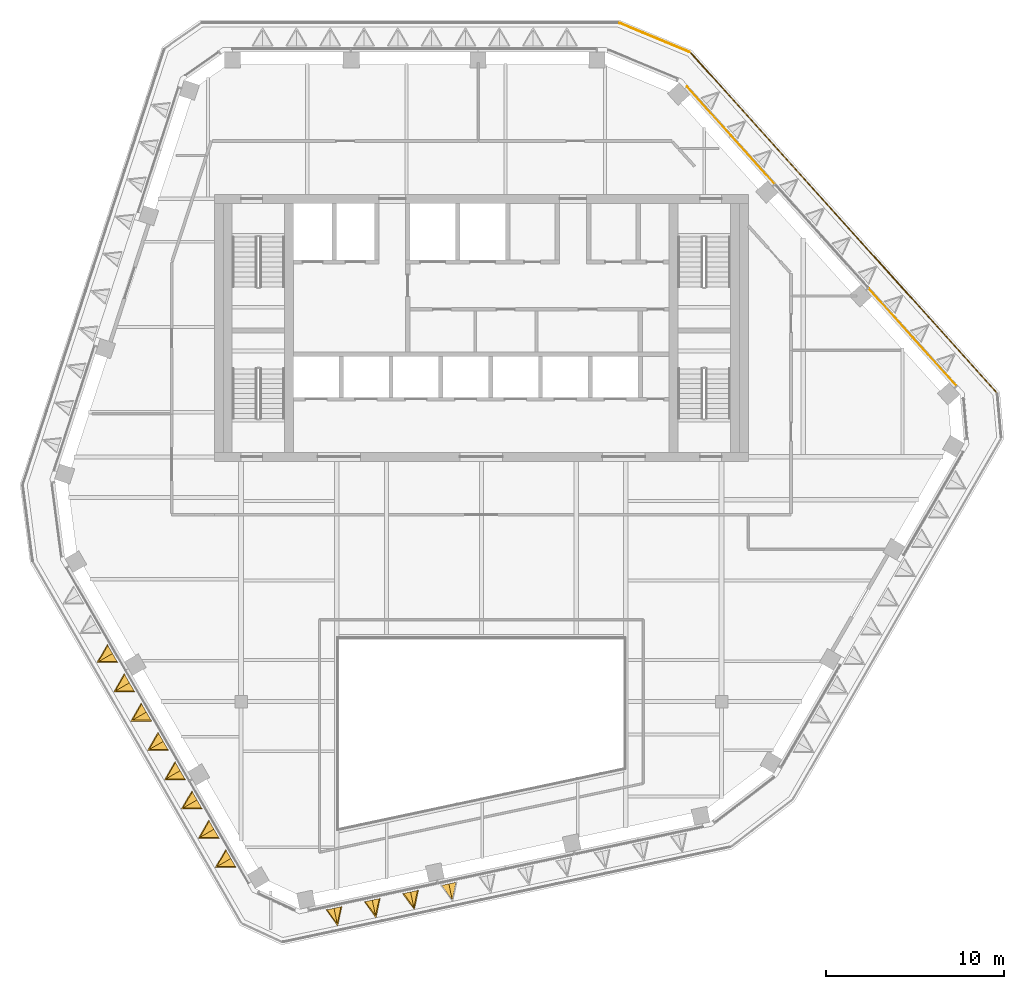
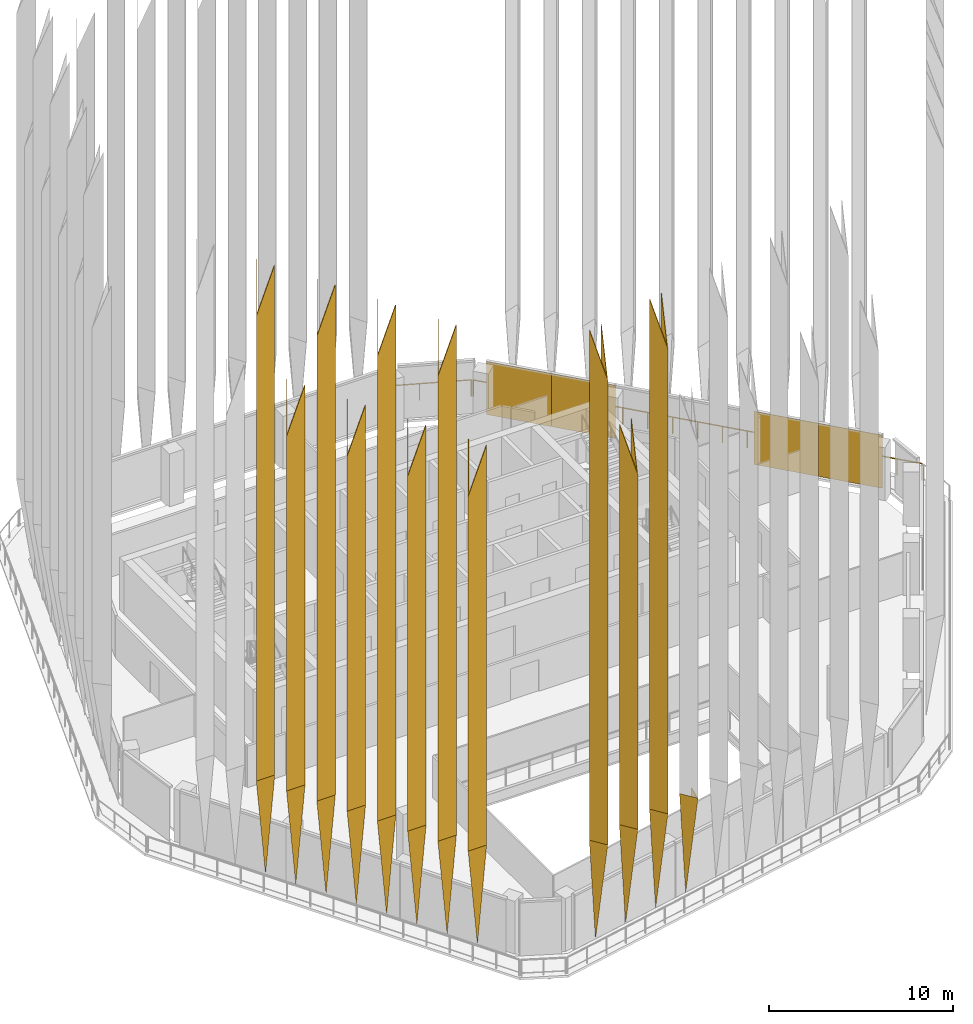
# One storey, part 17 of 21: 27 coverings, 2 railings, 1 element without a shape of its own.
"""IFC4 building model written with IfcOpenShell, lengths in metres."""

from ifc_helpers import new_model, si_unit, direction, frame, origin, origin_2d, place, context, subcontext, project, spatial, polyline, rectangle, circle, outline, extrude, faceted_brep, material, layer, layer_set, material_profile, profile_set, type_object, element, aggregate, save


model = new_model("IFC4")

# Units and contexts
model_context = context("Model", 3, precision=1e-05, world=origin(), true_north=direction((0.0, 1.0)))
body_context = subcontext(model_context, "Body", "Model", "MODEL_VIEW")
ifc_project = project(units=[si_unit("LENGTHUNIT", "METRE"), si_unit("AREAUNIT", "SQUARE_METRE"), si_unit("VOLUMEUNIT", "CUBIC_METRE"), si_unit("PLANEANGLEUNIT", "RADIAN"), si_unit("MASSUNIT", "GRAM", prefix="KILO")], contexts=[model_context])

# Site, building, storey
site_placement = place(None, origin())
site = spatial("IfcSite", under=ifc_project, at=site_placement, CompositionType="ELEMENT")
building_placement = place(site_placement, origin())
building = spatial("IfcBuilding", under=site, at=building_placement, Name="Isthmus Gate Tower", CompositionType="ELEMENT")
storey_placement = place(building_placement, frame((0.0, 0.0, 260.949951171875)))
storey = spatial("IfcBuildingStorey", under=building, at=storey_placement, Name="L66", CompositionType="ELEMENT", Elevation=260.949951171875)

# Curtain wall, coverings
ifc_material_1 = material(Name="Aluminium, pale champagne anodised", Category="aluminium")
ifc_layer_1 = layer(ifc_material_1, 0.199951171875)
ifc_layer_set_1 = layer_set([ifc_layer_1], Name="CW-1 UNITISED CURTAIN WALL 200 DEEP")
curtain_wall_type = type_object("IfcCurtainWallType", Name="CW-1 UNITISED CURTAIN WALL 200 DEEP", PredefinedType="NOTDEFINED", material=ifc_layer_set_1)
curtain_wall_placement = place(storey_placement, origin())
curtain_wall = element("IfcCurtainWall", 1, at=curtain_wall_placement, inside=storey, type_object=curtain_wall_type, Name="CW-1 NE L66", PredefinedType="NOTDEFINED")
ifc_material_2 = material(Name="Aluminium composite panel, pale champagne anodised", Category="aluminium")
ifc_layer_2 = layer(ifc_material_2, 0.031982421875)
ifc_layer_set_2 = layer_set([ifc_layer_2], Name="CW-1 PALE METAL PANEL 32")
covering_type_1 = type_object("IfcCoveringType", Name="CW-1 PALE METAL PANEL 32", PredefinedType="CLADDING", material=ifc_layer_set_2)
covering_1_placement = place(storey_placement, frame((25.470947265625, 5.6083984375, 0.0), z_axis=(0.0, 0.0, 1.0), x_axis=(-0.669130606359, 0.743144825477, 0.0)))
covering_1 = element("IfcCovering", 2, at=covering_1_placement, type_object=covering_type_1, Name="CW-1 pale metal panel", PredefinedType="CLADDING", context=body_context, shape_type="SweptSolid", body=[
    extrude(rectangle(XDim=3.643310546875, YDim=0.031982421875, at=origin_2d()), origin(), (0.0, 0.0, 1.0), 3.52001953125),
])
covering_2_placement = place(storey_placement, frame((23.012939453125, 8.33837890625, 0.0), z_axis=(0.0, 0.0, 1.0), x_axis=(-0.669130606359, 0.743144825477, 0.0)))
covering_2 = element("IfcCovering", 3, at=covering_2_placement, type_object=covering_type_1, Name="CW-1 pale metal panel", PredefinedType="CLADDING", context=body_context, shape_type="SweptSolid", body=[
    extrude(rectangle(XDim=3.703369140625, YDim=0.031982421875, at=origin_2d()), origin(), (0.0, 0.0, 1.0), 3.52001953125),
])
covering_3_placement = place(storey_placement, frame((15.257568359375, 16.95166015625, 0.0), z_axis=(0.0, 0.0, 1.0), x_axis=(-0.669130606359, 0.743144825477, 0.0)))
covering_3 = element("IfcCovering", 4, at=covering_3_placement, type_object=covering_type_1, Name="CW-1 pale metal panel", PredefinedType="CLADDING", context=body_context, shape_type="SweptSolid", body=[
    extrude(rectangle(XDim=3.643310546875, YDim=0.031982421875, at=origin_2d()), origin(), (0.0, 0.0, 1.0), 3.52001953125),
])
covering_4_placement = place(storey_placement, frame((12.799560546875, 19.681396484375, 0.0), z_axis=(0.0, 0.0, 1.0), x_axis=(-0.669130606359, 0.743144825477, 0.0)))
covering_4 = element("IfcCovering", 5, at=covering_4_placement, type_object=covering_type_1, Name="CW-1 pale metal panel", PredefinedType="CLADDING", context=body_context, shape_type="SweptSolid", body=[
    extrude(rectangle(XDim=3.703369140625, YDim=0.031982421875, at=origin_2d()), origin(), (0.0, 0.0, 1.0), 3.52001953125),
])
aggregate(curtain_wall, [covering_1, covering_2, covering_3, covering_4])

# Coverings
ifc_material_3 = material(Name="Structural steel ASTM A572 Gr 50, white paint system", Category="steel")
ifc_material_profile_1 = material_profile(ifc_material_3, outline(polyline([(0.0, -0.4453125), (1.0, 0.0), (0.0, 0.4453125), (0.0, 0.412353515625), (0.92626953125, 0.0), (0.0, -0.412353515625), (0.0, -0.4453125)])), Name="V1000")
ifc_profile_set_1 = profile_set([ifc_material_profile_1], Name="Structural steel ASTM A572 Gr 50, white paint system")
covering_type_2 = type_object("IfcCoveringType", Name="FIN V 1000 DEEP", PredefinedType="CLADDING", material=ifc_profile_set_1)
covering_5_placement = place(storey_placement, frame((0.0, 0.0, -260.949951171875)))
element("IfcCovering", 6, at=covering_5_placement, inside=storey, type_object=covering_type_2, Name="FIN", ObjectType="FIN", PredefinedType="CLADDING", context=body_context, shape_type="Brep", body=[
    faceted_brep([(-8.683837890625, -25.20361328125, 267.85009765625), (-8.087890625, -26.02392578125, 267.85009765625), (-7.877197265625, -25.0322265625, 267.85009765625), (-7.844970703125, -25.025390625, 267.85009765625), (-8.072509765625, -26.095947265625, 267.85009765625), (-8.716064453125, -25.21044921875, 267.85009765625), (-8.716064453125, -25.21044921875, 301.699951171875), (-8.072509765625, -26.095947265625, 298.699951171875), (-7.844970703125, -25.025390625, 301.699951171875), (-7.877197265625, -25.0322265625, 301.699951171875), (-8.087890625, -26.02392578125, 298.92138671875), (-8.683837890625, -25.20361328125, 301.699951171875)], [[[0, 1, 2, 3, 4, 5]], [[6, 7, 8, 9, 10, 11]], [[5, 4, 7, 6]], [[4, 3, 8, 7]], [[3, 2, 9, 8]], [[2, 1, 10, 9]], [[1, 0, 11, 10]], [[0, 5, 6, 11]]]),
])
covering_6_placement = place(storey_placement, frame((0.0, 0.0, -260.949951171875)))
element("IfcCovering", 7, at=covering_6_placement, inside=storey, type_object=covering_type_2, Name="FIN", ObjectType="FIN", PredefinedType="CLADDING", context=body_context, shape_type="Brep", body=[
    faceted_brep([(-6.531982421875, -24.74609375, 267.85009765625), (-5.93603515625, -25.56640625, 267.85009765625), (-5.725341796875, -24.57470703125, 267.85009765625), (-5.693115234375, -24.56787109375, 267.85009765625), (-5.920654296875, -25.638427734375, 267.85009765625), (-6.564208984375, -24.7529296875, 267.85009765625), (-6.564208984375, -24.7529296875, 294.39990234375), (-5.920654296875, -25.638427734375, 291.39990234375), (-5.693115234375, -24.56787109375, 294.39990234375), (-5.725341796875, -24.57470703125, 294.39990234375), (-5.93603515625, -25.56640625, 291.621337890625), (-6.531982421875, -24.74609375, 294.39990234375)], [[[0, 1, 2, 3, 4, 5]], [[6, 7, 8, 9, 10, 11]], [[5, 4, 7, 6]], [[4, 3, 8, 7]], [[3, 2, 9, 8]], [[2, 1, 10, 9]], [[1, 0, 11, 10]], [[0, 5, 6, 11]]]),
])
covering_7_placement = place(storey_placement, frame((0.0, 0.0, -260.949951171875)))
element("IfcCovering", 8, at=covering_7_placement, inside=storey, type_object=covering_type_2, Name="FIN", ObjectType="FIN", PredefinedType="CLADDING", context=body_context, shape_type="Brep", body=[
    faceted_brep([(-4.380126953125, -24.288818359375, 267.85009765625), (-3.7841796875, -25.109130859375, 267.85009765625), (-3.573486328125, -24.117431640625, 267.85009765625), (-3.541259765625, -24.110595703125, 267.85009765625), (-3.768798828125, -25.18115234375, 267.85009765625), (-4.412353515625, -24.295654296875, 267.85009765625), (-4.412353515625, -24.295654296875, 301.699951171875), (-3.768798828125, -25.18115234375, 298.699951171875), (-3.541259765625, -24.110595703125, 301.699951171875), (-3.573486328125, -24.117431640625, 301.699951171875), (-3.7841796875, -25.109130859375, 298.92138671875), (-4.380126953125, -24.288818359375, 301.699951171875)], [[[0, 1, 2, 3, 4, 5]], [[6, 7, 8, 9, 10, 11]], [[5, 4, 7, 6]], [[4, 3, 8, 7]], [[3, 2, 9, 8]], [[2, 1, 10, 9]], [[1, 0, 11, 10]], [[0, 5, 6, 11]]]),
])
ifc_material_4 = material(Name="Structural steel ASTM A572 Gr 50, white paint system", Category="steel")
ifc_material_profile_2 = material_profile(ifc_material_4, outline(polyline([(0.0, -0.4453125), (1.0, 0.0), (0.0, 0.4453125), (0.0, 0.412353515625), (0.92626953125, 0.0), (0.0, -0.412353515625), (0.0, -0.4453125)])), Name="V1000")
ifc_profile_set_2 = profile_set([ifc_material_profile_2], Name="Structural steel ASTM A572 Gr 50, white paint system")
covering_type_3 = type_object("IfcCoveringType", Name="FIN V 1000 DEEP FOOT", PredefinedType="CLADDING", material=ifc_profile_set_2)
covering_8_placement = place(storey_placement, frame((0.0, 0.0, -260.949951171875)))
element("IfcCovering", 9, at=covering_8_placement, inside=storey, type_object=covering_type_3, Name="FIN", ObjectType="FIN", PredefinedType="CLADDING", context=body_context, shape_type="Brep", body=[
    faceted_brep([(-8.716064453125, -25.21044921875, 267.85009765625), (-8.072509765625, -26.095947265625, 267.85009765625), (-7.844970703125, -25.025390625, 267.85009765625), (-7.877197265625, -25.0322265625, 267.85009765625), (-8.087890625, -26.02392578125, 267.85009765625), (-8.683837890625, -25.20361328125, 267.85009765625), (-8.280517578125, -25.117919921875, 261.050048828125)], [[[0, 1, 2, 3, 4, 5]], [[1, 0, 6]], [[2, 1, 6]], [[3, 2, 6]], [[4, 3, 6]], [[5, 4, 6]], [[0, 5, 6]]]),
])
covering_9_placement = place(storey_placement, frame((0.0, 0.0, -260.949951171875)))
element("IfcCovering", 10, at=covering_9_placement, inside=storey, type_object=covering_type_3, Name="FIN", ObjectType="FIN", PredefinedType="CLADDING", context=body_context, shape_type="Brep", body=[
    faceted_brep([(-6.564208984375, -24.7529296875, 267.85009765625), (-5.920654296875, -25.638427734375, 267.85009765625), (-5.693115234375, -24.56787109375, 267.85009765625), (-5.725341796875, -24.57470703125, 267.85009765625), (-5.93603515625, -25.56640625, 267.85009765625), (-6.531982421875, -24.74609375, 267.85009765625), (-6.128662109375, -24.660400390625, 261.050048828125)], [[[0, 1, 2, 3, 4, 5]], [[1, 0, 6]], [[2, 1, 6]], [[3, 2, 6]], [[4, 3, 6]], [[5, 4, 6]], [[0, 5, 6]]]),
])
covering_10_placement = place(storey_placement, frame((0.0, 0.0, -260.949951171875)))
element("IfcCovering", 11, at=covering_10_placement, inside=storey, type_object=covering_type_3, Name="FIN", ObjectType="FIN", PredefinedType="CLADDING", context=body_context, shape_type="Brep", body=[
    faceted_brep([(-4.412353515625, -24.295654296875, 267.85009765625), (-3.768798828125, -25.18115234375, 267.85009765625), (-3.541259765625, -24.110595703125, 267.85009765625), (-3.573486328125, -24.117431640625, 267.85009765625), (-3.7841796875, -25.109130859375, 267.85009765625), (-4.380126953125, -24.288818359375, 267.85009765625), (-3.976806640625, -24.203125, 261.050048828125)], [[[0, 1, 2, 3, 4, 5]], [[1, 0, 6]], [[2, 1, 6]], [[3, 2, 6]], [[4, 3, 6]], [[5, 4, 6]], [[0, 5, 6]]]),
])
covering_11_placement = place(storey_placement, frame((0.0, 0.0, -260.949951171875)))
element("IfcCovering", 12, at=covering_11_placement, inside=storey, type_object=covering_type_3, Name="FIN", ObjectType="FIN", PredefinedType="CLADDING", context=body_context, shape_type="Brep", body=[
    faceted_brep([(-2.26025390625, -23.838134765625, 267.85009765625), (-1.61669921875, -24.7236328125, 267.85009765625), (-1.38916015625, -23.653076171875, 267.85009765625), (-1.42138671875, -23.659912109375, 267.85009765625), (-1.632080078125, -24.651611328125, 267.85009765625), (-2.22802734375, -23.831298828125, 267.85009765625), (-1.82470703125, -23.74560546875, 261.050048828125)], [[[0, 1, 2, 3, 4, 5]], [[1, 0, 6]], [[2, 1, 6]], [[3, 2, 6]], [[4, 3, 6]], [[5, 4, 6]], [[0, 5, 6]]]),
])
ifc_material_5 = material(Name="Structural steel ASTM A572 Gr 50, white paint system", Category="steel")
ifc_material_profile_3 = material_profile(ifc_material_5, outline(polyline([(0.0, -0.577392578125), (1.0, 0.0), (0.0, 0.577392578125), (0.0, 0.542724609375), (0.93994140625, 0.0), (0.0, -0.542724609375), (0.0, -0.577392578125)])), Name="V1000W")
ifc_profile_set_3 = profile_set([ifc_material_profile_3], Name="Structural steel ASTM A572 Gr 50, white paint system")
covering_type_4 = type_object("IfcCoveringType", Name="FIN V 1000 DEEP WIDE", PredefinedType="CLADDING", material=ifc_profile_set_3)
covering_12_placement = place(storey_placement, frame((0.0, 0.0, -260.949951171875)))
element("IfcCovering", 13, at=covering_12_placement, inside=storey, type_object=covering_type_4, Name="FIN", ObjectType="FIN", PredefinedType="CLADDING", context=body_context, shape_type="Brep", body=[
    faceted_brep([(-20.996826171875, -10.332275390625, 267.85009765625), (-21.53955078125, -11.272216796875, 267.85009765625), (-20.454345703125, -11.272216796875, 267.85009765625), (-20.43701171875, -11.30224609375, 267.85009765625), (-21.591552734375, -11.30224609375, 267.85009765625), (-21.01416015625, -10.30224609375, 267.85009765625), (-21.01416015625, -10.30224609375, 301.699951171875), (-21.591552734375, -11.30224609375, 298.699951171875), (-20.43701171875, -11.30224609375, 301.699951171875), (-20.454345703125, -11.272216796875, 301.699951171875), (-21.53955078125, -11.272216796875, 298.8798828125), (-20.996826171875, -10.332275390625, 301.699951171875)], [[[0, 1, 2, 3, 4, 5]], [[6, 7, 8, 9, 10, 11]], [[5, 4, 7, 6]], [[4, 3, 8, 7]], [[3, 2, 9, 8]], [[2, 1, 10, 9]], [[1, 0, 11, 10]], [[0, 5, 6, 11]]]),
])
covering_13_placement = place(storey_placement, frame((0.0, 0.0, -260.949951171875)))
element("IfcCovering", 14, at=covering_13_placement, inside=storey, type_object=covering_type_4, Name="FIN", ObjectType="FIN", PredefinedType="CLADDING", context=body_context, shape_type="Brep", body=[
    faceted_brep([(-20.046875, -11.977783203125, 267.85009765625), (-20.589599609375, -12.917724609375, 267.85009765625), (-19.50439453125, -12.917724609375, 267.85009765625), (-19.487060546875, -12.94775390625, 267.85009765625), (-20.6416015625, -12.94775390625, 267.85009765625), (-20.064208984375, -11.94775390625, 267.85009765625), (-20.064208984375, -11.94775390625, 294.39990234375), (-20.6416015625, -12.94775390625, 291.39990234375), (-19.487060546875, -12.94775390625, 294.39990234375), (-19.50439453125, -12.917724609375, 294.39990234375), (-20.589599609375, -12.917724609375, 291.580078125), (-20.046875, -11.977783203125, 294.39990234375)], [[[0, 1, 2, 3, 4, 5]], [[6, 7, 8, 9, 10, 11]], [[5, 4, 7, 6]], [[4, 3, 8, 7]], [[3, 2, 9, 8]], [[2, 1, 10, 9]], [[1, 0, 11, 10]], [[0, 5, 6, 11]]]),
])
covering_14_placement = place(storey_placement, frame((0.0, 0.0, -260.949951171875)))
element("IfcCovering", 15, at=covering_14_placement, inside=storey, type_object=covering_type_4, Name="FIN", ObjectType="FIN", PredefinedType="CLADDING", context=body_context, shape_type="Brep", body=[
    faceted_brep([(-19.0966796875, -13.623291015625, 267.85009765625), (-19.639404296875, -14.563232421875, 267.85009765625), (-18.55419921875, -14.563232421875, 267.85009765625), (-18.536865234375, -14.59326171875, 267.85009765625), (-19.69140625, -14.59326171875, 267.85009765625), (-19.114013671875, -13.59326171875, 267.85009765625), (-19.114013671875, -13.59326171875, 301.699951171875), (-19.69140625, -14.59326171875, 298.699951171875), (-18.536865234375, -14.59326171875, 301.699951171875), (-18.55419921875, -14.563232421875, 301.699951171875), (-19.639404296875, -14.563232421875, 298.8798828125), (-19.0966796875, -13.623291015625, 301.699951171875)], [[[0, 1, 2, 3, 4, 5]], [[6, 7, 8, 9, 10, 11]], [[5, 4, 7, 6]], [[4, 3, 8, 7]], [[3, 2, 9, 8]], [[2, 1, 10, 9]], [[1, 0, 11, 10]], [[0, 5, 6, 11]]]),
])
covering_15_placement = place(storey_placement, frame((0.0, 0.0, -260.949951171875)))
element("IfcCovering", 16, at=covering_15_placement, inside=storey, type_object=covering_type_4, Name="FIN", ObjectType="FIN", PredefinedType="CLADDING", context=body_context, shape_type="Brep", body=[
    faceted_brep([(-18.146728515625, -15.268798828125, 267.85009765625), (-18.689453125, -16.208740234375, 267.85009765625), (-17.604248046875, -16.208740234375, 267.85009765625), (-17.5869140625, -16.23876953125, 267.85009765625), (-18.741455078125, -16.23876953125, 267.85009765625), (-18.1640625, -15.23876953125, 267.85009765625), (-18.1640625, -15.23876953125, 294.39990234375), (-18.741455078125, -16.23876953125, 291.39990234375), (-17.5869140625, -16.23876953125, 294.39990234375), (-17.604248046875, -16.208740234375, 294.39990234375), (-18.689453125, -16.208740234375, 291.580078125), (-18.146728515625, -15.268798828125, 294.39990234375)], [[[0, 1, 2, 3, 4, 5]], [[6, 7, 8, 9, 10, 11]], [[5, 4, 7, 6]], [[4, 3, 8, 7]], [[3, 2, 9, 8]], [[2, 1, 10, 9]], [[1, 0, 11, 10]], [[0, 5, 6, 11]]]),
])
covering_16_placement = place(storey_placement, frame((0.0, 0.0, -260.949951171875)))
element("IfcCovering", 17, at=covering_16_placement, inside=storey, type_object=covering_type_4, Name="FIN", ObjectType="FIN", PredefinedType="CLADDING", context=body_context, shape_type="Brep", body=[
    faceted_brep([(-17.19677734375, -16.9140625, 267.85009765625), (-17.739501953125, -17.85400390625, 267.85009765625), (-16.654296875, -17.85400390625, 267.85009765625), (-16.636962890625, -17.884033203125, 267.85009765625), (-17.79150390625, -17.884033203125, 267.85009765625), (-17.214111328125, -16.884033203125, 267.85009765625), (-17.214111328125, -16.884033203125, 301.699951171875), (-17.79150390625, -17.884033203125, 298.699951171875), (-16.636962890625, -17.884033203125, 301.699951171875), (-16.654296875, -17.85400390625, 301.699951171875), (-17.739501953125, -17.85400390625, 298.8798828125), (-17.19677734375, -16.9140625, 301.699951171875)], [[[0, 1, 2, 3, 4, 5]], [[6, 7, 8, 9, 10, 11]], [[5, 4, 7, 6]], [[4, 3, 8, 7]], [[3, 2, 9, 8]], [[2, 1, 10, 9]], [[1, 0, 11, 10]], [[0, 5, 6, 11]]]),
])
covering_17_placement = place(storey_placement, frame((0.0, 0.0, -260.949951171875)))
element("IfcCovering", 18, at=covering_17_placement, inside=storey, type_object=covering_type_4, Name="FIN", ObjectType="FIN", PredefinedType="CLADDING", context=body_context, shape_type="Brep", body=[
    faceted_brep([(-16.246826171875, -18.5595703125, 267.85009765625), (-16.78955078125, -19.49951171875, 267.85009765625), (-15.704345703125, -19.49951171875, 267.85009765625), (-15.68701171875, -19.529541015625, 267.85009765625), (-16.841552734375, -19.529541015625, 267.85009765625), (-16.26416015625, -18.529541015625, 267.85009765625), (-16.26416015625, -18.529541015625, 294.39990234375), (-16.841552734375, -19.529541015625, 291.39990234375), (-15.68701171875, -19.529541015625, 294.39990234375), (-15.704345703125, -19.49951171875, 294.39990234375), (-16.78955078125, -19.49951171875, 291.580078125), (-16.246826171875, -18.5595703125, 294.39990234375)], [[[0, 1, 2, 3, 4, 5]], [[6, 7, 8, 9, 10, 11]], [[5, 4, 7, 6]], [[4, 3, 8, 7]], [[3, 2, 9, 8]], [[2, 1, 10, 9]], [[1, 0, 11, 10]], [[0, 5, 6, 11]]]),
])
covering_18_placement = place(storey_placement, frame((0.0, 0.0, -260.949951171875)))
element("IfcCovering", 19, at=covering_18_placement, inside=storey, type_object=covering_type_4, Name="FIN", ObjectType="FIN", PredefinedType="CLADDING", context=body_context, shape_type="Brep", body=[
    faceted_brep([(-15.296875, -20.205078125, 267.85009765625), (-15.839599609375, -21.14501953125, 267.85009765625), (-14.75439453125, -21.14501953125, 267.85009765625), (-14.737060546875, -21.175048828125, 267.85009765625), (-15.8916015625, -21.175048828125, 267.85009765625), (-15.314208984375, -20.175048828125, 267.85009765625), (-15.314208984375, -20.175048828125, 301.699951171875), (-15.8916015625, -21.175048828125, 298.699951171875), (-14.737060546875, -21.175048828125, 301.699951171875), (-14.75439453125, -21.14501953125, 301.699951171875), (-15.839599609375, -21.14501953125, 298.8798828125), (-15.296875, -20.205078125, 301.699951171875)], [[[0, 1, 2, 3, 4, 5]], [[6, 7, 8, 9, 10, 11]], [[5, 4, 7, 6]], [[4, 3, 8, 7]], [[3, 2, 9, 8]], [[2, 1, 10, 9]], [[1, 0, 11, 10]], [[0, 5, 6, 11]]]),
])
covering_19_placement = place(storey_placement, frame((0.0, 0.0, -260.949951171875)))
element("IfcCovering", 20, at=covering_19_placement, inside=storey, type_object=covering_type_4, Name="FIN", ObjectType="FIN", PredefinedType="CLADDING", context=body_context, shape_type="Brep", body=[
    faceted_brep([(-14.3466796875, -21.8505859375, 267.85009765625), (-14.889404296875, -22.79052734375, 267.85009765625), (-13.80419921875, -22.79052734375, 267.85009765625), (-13.786865234375, -22.820556640625, 267.85009765625), (-14.94140625, -22.820556640625, 267.85009765625), (-14.364013671875, -21.820556640625, 267.85009765625), (-14.364013671875, -21.820556640625, 294.39990234375), (-14.94140625, -22.820556640625, 291.39990234375), (-13.786865234375, -22.820556640625, 294.39990234375), (-13.80419921875, -22.79052734375, 294.39990234375), (-14.889404296875, -22.79052734375, 291.580078125), (-14.3466796875, -21.8505859375, 294.39990234375)], [[[0, 1, 2, 3, 4, 5]], [[6, 7, 8, 9, 10, 11]], [[5, 4, 7, 6]], [[4, 3, 8, 7]], [[3, 2, 9, 8]], [[2, 1, 10, 9]], [[1, 0, 11, 10]], [[0, 5, 6, 11]]]),
])
ifc_material_6 = material(Name="Structural steel ASTM A572 Gr 50, white paint system", Category="steel")
ifc_material_profile_4 = material_profile(ifc_material_6, outline(polyline([(0.0, -0.577392578125), (1.0, 0.0), (0.0, 0.577392578125), (0.0, 0.542724609375), (0.93994140625, 0.0), (0.0, -0.542724609375), (0.0, -0.577392578125)])), Name="V1000W")
ifc_profile_set_4 = profile_set([ifc_material_profile_4], Name="Structural steel ASTM A572 Gr 50, white paint system")
covering_type_5 = type_object("IfcCoveringType", Name="FIN V 1000 DEEP WIDE FOOT", PredefinedType="CLADDING", material=ifc_profile_set_4)
covering_20_placement = place(storey_placement, frame((0.0, 0.0, -260.949951171875)))
element("IfcCovering", 21, at=covering_20_placement, inside=storey, type_object=covering_type_5, Name="FIN", ObjectType="FIN", PredefinedType="CLADDING", context=body_context, shape_type="Brep", body=[
    faceted_brep([(-21.01416015625, -10.30224609375, 267.85009765625), (-21.591552734375, -11.30224609375, 267.85009765625), (-20.43701171875, -11.30224609375, 267.85009765625), (-20.454345703125, -11.272216796875, 267.85009765625), (-21.53955078125, -11.272216796875, 267.85009765625), (-20.996826171875, -10.332275390625, 267.85009765625), (-20.7255859375, -10.80224609375, 261.050048828125)], [[[0, 1, 2, 3, 4, 5]], [[1, 0, 6]], [[2, 1, 6]], [[3, 2, 6]], [[4, 3, 6]], [[5, 4, 6]], [[0, 5, 6]]]),
])
covering_21_placement = place(storey_placement, frame((0.0, 0.0, -260.949951171875)))
element("IfcCovering", 22, at=covering_21_placement, inside=storey, type_object=covering_type_5, Name="FIN", ObjectType="FIN", PredefinedType="CLADDING", context=body_context, shape_type="Brep", body=[
    faceted_brep([(-20.064208984375, -11.94775390625, 267.85009765625), (-20.6416015625, -12.94775390625, 267.85009765625), (-19.487060546875, -12.94775390625, 267.85009765625), (-19.50439453125, -12.917724609375, 267.85009765625), (-20.589599609375, -12.917724609375, 267.85009765625), (-20.046875, -11.977783203125, 267.85009765625), (-19.775634765625, -12.44775390625, 261.050048828125)], [[[0, 1, 2, 3, 4, 5]], [[1, 0, 6]], [[2, 1, 6]], [[3, 2, 6]], [[4, 3, 6]], [[5, 4, 6]], [[0, 5, 6]]]),
])
covering_22_placement = place(storey_placement, frame((0.0, 0.0, -260.949951171875)))
element("IfcCovering", 23, at=covering_22_placement, inside=storey, type_object=covering_type_5, Name="FIN", ObjectType="FIN", PredefinedType="CLADDING", context=body_context, shape_type="Brep", body=[
    faceted_brep([(-19.114013671875, -13.59326171875, 267.85009765625), (-19.69140625, -14.59326171875, 267.85009765625), (-18.536865234375, -14.59326171875, 267.85009765625), (-18.55419921875, -14.563232421875, 267.85009765625), (-19.639404296875, -14.563232421875, 267.85009765625), (-19.0966796875, -13.623291015625, 267.85009765625), (-18.825439453125, -14.09326171875, 261.050048828125)], [[[0, 1, 2, 3, 4, 5]], [[1, 0, 6]], [[2, 1, 6]], [[3, 2, 6]], [[4, 3, 6]], [[5, 4, 6]], [[0, 5, 6]]]),
])
covering_23_placement = place(storey_placement, frame((0.0, 0.0, -260.949951171875)))
element("IfcCovering", 24, at=covering_23_placement, inside=storey, type_object=covering_type_5, Name="FIN", ObjectType="FIN", PredefinedType="CLADDING", context=body_context, shape_type="Brep", body=[
    faceted_brep([(-18.1640625, -15.23876953125, 267.85009765625), (-18.741455078125, -16.23876953125, 267.85009765625), (-17.5869140625, -16.23876953125, 267.85009765625), (-17.604248046875, -16.208740234375, 267.85009765625), (-18.689453125, -16.208740234375, 267.85009765625), (-18.146728515625, -15.268798828125, 267.85009765625), (-17.87548828125, -15.73876953125, 261.050048828125)], [[[0, 1, 2, 3, 4, 5]], [[1, 0, 6]], [[2, 1, 6]], [[3, 2, 6]], [[4, 3, 6]], [[5, 4, 6]], [[0, 5, 6]]]),
])
covering_24_placement = place(storey_placement, frame((0.0, 0.0, -260.949951171875)))
element("IfcCovering", 25, at=covering_24_placement, inside=storey, type_object=covering_type_5, Name="FIN", ObjectType="FIN", PredefinedType="CLADDING", context=body_context, shape_type="Brep", body=[
    faceted_brep([(-17.214111328125, -16.884033203125, 267.85009765625), (-17.79150390625, -17.884033203125, 267.85009765625), (-16.636962890625, -17.884033203125, 267.85009765625), (-16.654296875, -17.85400390625, 267.85009765625), (-17.739501953125, -17.85400390625, 267.85009765625), (-17.19677734375, -16.9140625, 267.85009765625), (-16.925537109375, -17.384033203125, 261.050048828125)], [[[0, 1, 2, 3, 4, 5]], [[1, 0, 6]], [[2, 1, 6]], [[3, 2, 6]], [[4, 3, 6]], [[5, 4, 6]], [[0, 5, 6]]]),
])
covering_25_placement = place(storey_placement, frame((0.0, 0.0, -260.949951171875)))
element("IfcCovering", 26, at=covering_25_placement, inside=storey, type_object=covering_type_5, Name="FIN", ObjectType="FIN", PredefinedType="CLADDING", context=body_context, shape_type="Brep", body=[
    faceted_brep([(-16.26416015625, -18.529541015625, 267.85009765625), (-16.841552734375, -19.529541015625, 267.85009765625), (-15.68701171875, -19.529541015625, 267.85009765625), (-15.704345703125, -19.49951171875, 267.85009765625), (-16.78955078125, -19.49951171875, 267.85009765625), (-16.246826171875, -18.5595703125, 267.85009765625), (-15.9755859375, -19.029541015625, 261.050048828125)], [[[0, 1, 2, 3, 4, 5]], [[1, 0, 6]], [[2, 1, 6]], [[3, 2, 6]], [[4, 3, 6]], [[5, 4, 6]], [[0, 5, 6]]]),
])
covering_26_placement = place(storey_placement, frame((0.0, 0.0, -260.949951171875)))
element("IfcCovering", 27, at=covering_26_placement, inside=storey, type_object=covering_type_5, Name="FIN", ObjectType="FIN", PredefinedType="CLADDING", context=body_context, shape_type="Brep", body=[
    faceted_brep([(-15.314208984375, -20.175048828125, 267.85009765625), (-15.8916015625, -21.175048828125, 267.85009765625), (-14.737060546875, -21.175048828125, 267.85009765625), (-14.75439453125, -21.14501953125, 267.85009765625), (-15.839599609375, -21.14501953125, 267.85009765625), (-15.296875, -20.205078125, 267.85009765625), (-15.025634765625, -20.675048828125, 261.050048828125)], [[[0, 1, 2, 3, 4, 5]], [[1, 0, 6]], [[2, 1, 6]], [[3, 2, 6]], [[4, 3, 6]], [[5, 4, 6]], [[0, 5, 6]]]),
])
covering_27_placement = place(storey_placement, frame((0.0, 0.0, -260.949951171875)))
element("IfcCovering", 28, at=covering_27_placement, inside=storey, type_object=covering_type_5, Name="FIN", ObjectType="FIN", PredefinedType="CLADDING", context=body_context, shape_type="Brep", body=[
    faceted_brep([(-14.364013671875, -21.820556640625, 267.85009765625), (-14.94140625, -22.820556640625, 267.85009765625), (-13.786865234375, -22.820556640625, 267.85009765625), (-13.80419921875, -22.79052734375, 267.85009765625), (-14.889404296875, -22.79052734375, 267.85009765625), (-14.3466796875, -21.8505859375, 267.85009765625), (-14.075439453125, -22.320556640625, 261.050048828125)], [[[0, 1, 2, 3, 4, 5]], [[1, 0, 6]], [[2, 1, 6]], [[3, 2, 6]], [[4, 3, 6]], [[5, 4, 6]], [[0, 5, 6]]]),
])

# Railings
ifc_material_7 = material(Name="Stainless steel posts and toughened laminated glass", Category="steel")
railing_type = type_object("IfcRailingType", Name="GUARD 1100 LEDGE GLASS", PredefinedType="GUARDRAIL", material=ifc_material_7)
railing_1_placement = place(storey_placement, frame((7.776611328125, 24.626953125, 0.0)))
element("IfcRailing", 29, at=railing_1_placement, inside=storey, type_object=railing_type, Name="LEDGE GUARD", PredefinedType="GUARDRAIL", context=body_context, shape_type="SweptSolid", body=[
    extrude(circle(Radius=0.02490234375, at=origin_2d()), frame((0.0, 0.0, 1.0751953125), z_axis=(0.923356062757, -0.383944763436, 0.0), x_axis=(0.383944763436, 0.923356062757, 0.0)), (0.0, 0.0, 1.0), 4.239990234375),
    extrude(circle(Radius=0.02490234375, at=origin_2d()), origin(), (0.0, 0.0, 1.0), 1.050048828125),
    extrude(circle(Radius=0.02490234375, at=origin_2d()), frame((1.304931640625, -0.542724609375, 0.0)), (0.0, 0.0, 1.0), 1.050048828125),
    extrude(circle(Radius=0.02490234375, at=origin_2d()), frame((2.610107421875, -1.085205078125, 0.0)), (0.0, 0.0, 1.0), 1.050048828125),
    extrude(circle(Radius=0.02490234375, at=origin_2d()), frame((3.9150390625, -1.6279296875, 0.0)), (0.0, 0.0, 1.0), 1.050048828125),
])
railing_2_placement = place(storey_placement, frame((11.787109375, 22.931396484375, 0.0)))
element("IfcRailing", 30, at=railing_2_placement, inside=storey, type_object=railing_type, Name="LEDGE GUARD", PredefinedType="GUARDRAIL", context=body_context, shape_type="SweptSolid", body=[
    extrude(circle(Radius=0.02490234375, at=origin_2d()), frame((0.0, 0.0, 1.0751953125), z_axis=(0.669129297634, -0.743146003857, 0.0), x_axis=(0.743146003857, 0.669129297634, 0.0)), (0.0, 0.0, 1.0), 25.652099609375),
    extrude(circle(Radius=0.02490234375, at=origin_2d()), origin(), (0.0, 0.0, 1.0), 1.050048828125),
    extrude(circle(Radius=0.02490234375, at=origin_2d()), frame((0.95361328125, -1.05908203125, 0.0)), (0.0, 0.0, 1.0), 1.050048828125),
    extrude(circle(Radius=0.02490234375, at=origin_2d()), frame((1.9072265625, -2.1181640625, 0.0)), (0.0, 0.0, 1.0), 1.050048828125),
    extrude(circle(Radius=0.02490234375, at=origin_2d()), frame((2.86083984375, -3.17724609375, 0.0)), (0.0, 0.0, 1.0), 1.050048828125),
    extrude(circle(Radius=0.02490234375, at=origin_2d()), frame((3.814453125, -4.236328125, 0.0)), (0.0, 0.0, 1.0), 1.050048828125),
    extrude(circle(Radius=0.02490234375, at=origin_2d()), frame((4.767822265625, -5.29541015625, 0.0)), (0.0, 0.0, 1.0), 1.050048828125),
    extrude(circle(Radius=0.02490234375, at=origin_2d()), frame((5.721435546875, -6.3544921875, 0.0)), (0.0, 0.0, 1.0), 1.050048828125),
    extrude(circle(Radius=0.02490234375, at=origin_2d()), frame((6.675048828125, -7.41357421875, 0.0)), (0.0, 0.0, 1.0), 1.050048828125),
    extrude(circle(Radius=0.02490234375, at=origin_2d()), frame((7.628662109375, -8.47265625, 0.0)), (0.0, 0.0, 1.0), 1.050048828125),
    extrude(circle(Radius=0.02490234375, at=origin_2d()), frame((8.582275390625, -9.53173828125, 0.0)), (0.0, 0.0, 1.0), 1.050048828125),
    extrude(circle(Radius=0.02490234375, at=origin_2d()), frame((9.535888671875, -10.590576171875, 0.0)), (0.0, 0.0, 1.0), 1.050048828125),
    extrude(circle(Radius=0.02490234375, at=origin_2d()), frame((10.489501953125, -11.649658203125, 0.0)), (0.0, 0.0, 1.0), 1.050048828125),
    extrude(circle(Radius=0.02490234375, at=origin_2d()), frame((11.443115234375, -12.708740234375, 0.0)), (0.0, 0.0, 1.0), 1.050048828125),
    extrude(circle(Radius=0.02490234375, at=origin_2d()), frame((12.396728515625, -13.767822265625, 0.0)), (0.0, 0.0, 1.0), 1.050048828125),
    extrude(circle(Radius=0.02490234375, at=origin_2d()), frame((13.35009765625, -14.826904296875, 0.0)), (0.0, 0.0, 1.0), 1.050048828125),
    extrude(circle(Radius=0.02490234375, at=origin_2d()), frame((14.3037109375, -15.885986328125, 0.0)), (0.0, 0.0, 1.0), 1.050048828125),
    extrude(circle(Radius=0.02490234375, at=origin_2d()), frame((15.25732421875, -16.945068359375, 0.0)), (0.0, 0.0, 1.0), 1.050048828125),
    extrude(circle(Radius=0.02490234375, at=origin_2d()), frame((16.2109375, -18.004150390625, 0.0)), (0.0, 0.0, 1.0), 1.050048828125),
    extrude(circle(Radius=0.02490234375, at=origin_2d()), frame((17.16455078125, -19.063232421875, 0.0)), (0.0, 0.0, 1.0), 1.050048828125),
])

save(model, "model.ifc")
